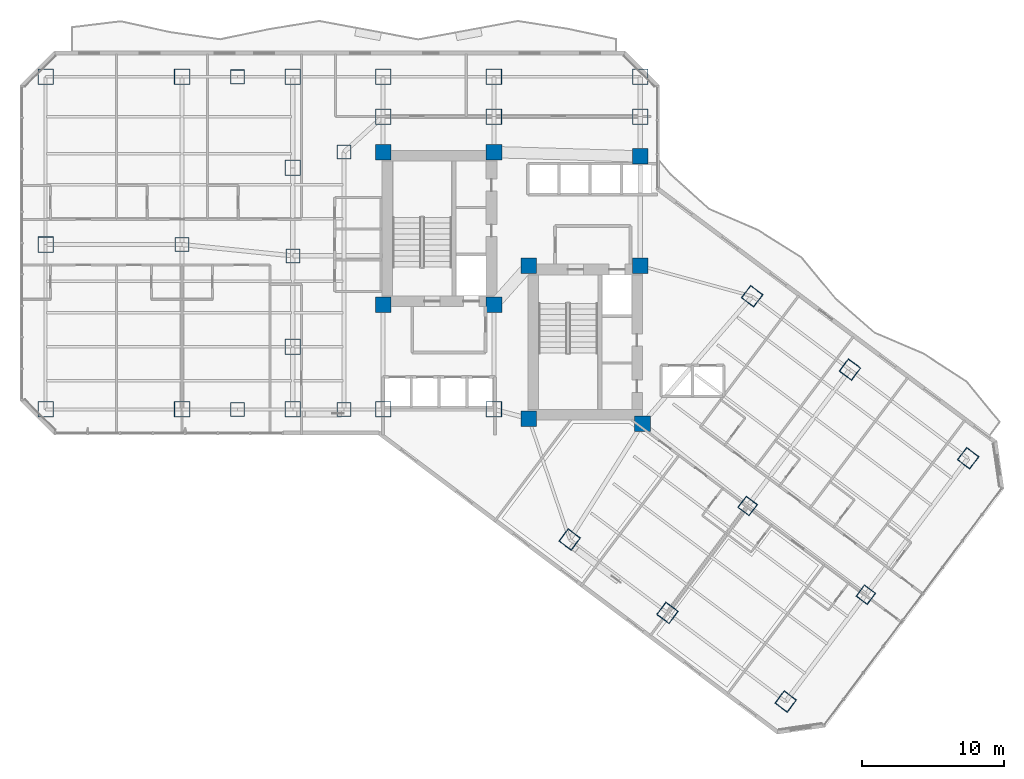
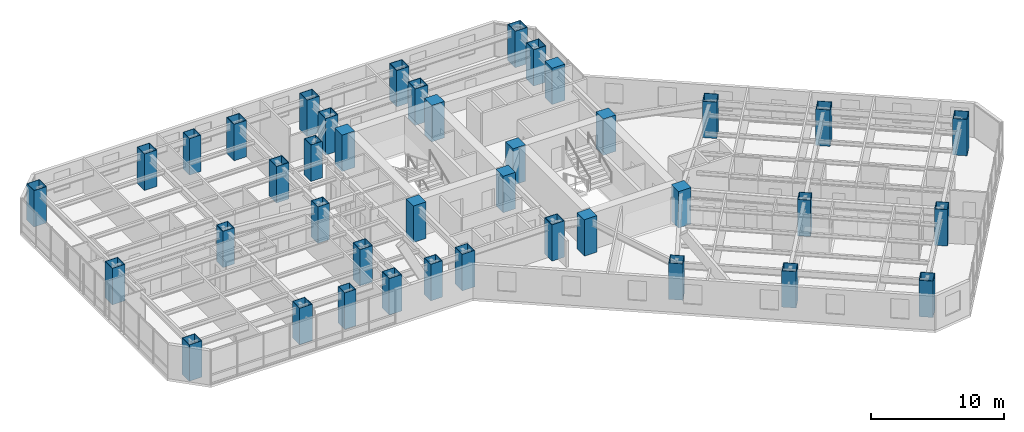
# One storey, part 1 of 32: 40 columns.
"""IFC4 building model written with IfcOpenShell, lengths in metres."""

from ifc_helpers import new_model, si_unit, direction, frame, origin, origin_2d, place, context, subcontext, project, spatial, rectangle, hollow_rectangle, extrude, material, material_profile, profile_set, type_object, element, save


model = new_model("IFC4")

# Units and contexts
model_context = context("Model", 3, precision=1e-05, world=origin(), true_north=direction((0.0, 1.0)))
body_context = subcontext(model_context, "Body", "Model", "MODEL_VIEW")
ifc_project = project(units=[si_unit("LENGTHUNIT", "METRE"), si_unit("AREAUNIT", "SQUARE_METRE"), si_unit("VOLUMEUNIT", "CUBIC_METRE"), si_unit("PLANEANGLEUNIT", "RADIAN"), si_unit("MASSUNIT", "GRAM", prefix="KILO")], contexts=[model_context])

# Site, building, storey
site_placement = place(None, origin())
site = spatial("IfcSite", under=ifc_project, at=site_placement, CompositionType="ELEMENT")
building_placement = place(site_placement, origin())
building = spatial("IfcBuilding", under=site, at=building_placement, Name="Hatsunagi Terrace Concourse", CompositionType="ELEMENT")
storey_placement = place(building_placement, frame((0.0, 0.0, 36.60009765625)))
storey = spatial("IfcBuildingStorey", under=building, at=storey_placement, Name="L08", CompositionType="ELEMENT", Elevation=36.60009765625)

# Columns
ifc_material_1 = material(Name="Concrete Fc60", Category="concrete")
ifc_material_profile_1 = material_profile(ifc_material_1, rectangle(XDim=1.10009765625, YDim=1.10009765625, at=origin_2d()), Name="RC-1100x1100")
ifc_profile_set_1 = profile_set([ifc_material_profile_1], Name="Concrete Fc60")
column_type_1 = type_object("IfcColumnType", Name="CoreColumn_RC_1100x1100", PredefinedType="COLUMN", material=ifc_profile_set_1)
for number, where, z_axis, x_axis, name in (
    (1, (25.550048828125, 32.550048828125, 0.0), (0.0, 0.0, 1.0), (1.0, 0.0, 0.0), "Column C-01 L08-CASW"),
    (2, (33.35009765625, 32.550048828125, 0.0), (0.0, 0.0, 1.0), (1.0, 0.0, 0.0), "Column C-01 L08-CASE"),
    (3, (25.550048828125, 43.300048828125, 0.0), (0.0, 0.0, 1.0), (1.0, 0.0, 0.0), "Column C-01 L08-CANW"),
    (4, (33.35009765625, 43.300048828125, 0.0), (0.0, 0.0, 1.0), (1.0, 0.0, 0.0), "Column C-01 L08-CANE"),
    (5, (35.800048828125, 24.550048828125, 0.0), (0.0, 0.0, 1.0), (1.0, 0.0, 0.0), "Column C-01 L08-CBSW"),
    (6, (43.800048828125, 24.199951171875, 0.0), (0.0, 0.0, 1.0), (1.0, 0.0, 0.0), "Column C-01 L08-CBSE"),
    (7, (35.800048828125, 35.300048828125, 0.0), (0.0, 0.0, 1.0), (1.0, 0.0, 0.0), "Column C-01 L08-CBNW"),
    (8, (43.64990234375, 35.300048828125, 0.0), (0.0, 0.0, 1.0), (1.0, 0.0, 0.0), "Column C-01 L08-CBNE"),
    (9, (43.64990234375, 43.0, 0.0), (0.0, 0.0, 1.0), (1.0, 0.0, 0.0), "Column C-01 L08-K3"),
):
    element("IfcColumn", number, at=place(storey_placement, frame(where, z_axis=z_axis, x_axis=x_axis)), inside=storey, type_object=column_type_1, Name=name, PredefinedType="COLUMN", context=body_context, shape_type="SweptSolid", body=[
        extrude(rectangle(XDim=1.10009765625, YDim=1.10009765625, at=origin_2d()), origin(), (0.0, 0.0, 1.0), 3.349853515625),
    ])
ifc_material_2 = material(Name="Steel BCP325T", Category="steel")
ifc_material_profile_2 = material_profile(ifc_material_2, hollow_rectangle(XDim=1.10009765625, YDim=1.10009765625, WallThickness=0.0400390625, at=origin_2d()), Name="BCP-1100x1100x40")
ifc_profile_set_2 = profile_set([ifc_material_profile_2], Name="Steel BCP325T")
column_type_2 = type_object("IfcColumnType", Name="MegaColumn_BCP_1100x1100x40", PredefinedType="COLUMN", material=ifc_profile_set_2)
for number, where, z_axis, x_axis, name in (
    (10, (25.550048828125, 25.199951171875, 0.0), (0.0, 0.0, 1.0), (1.0, 0.0, 0.0), "Mega column MC-02 L08-K1"),
    (11, (33.35009765625, 25.199951171875, 0.0), (0.0, 0.0, 1.0), (1.0, 0.0, 0.0), "Mega column MC-02 L08-K2"),
    (12, (25.550048828125, 45.800048828125, 0.0), (0.0, 0.0, 1.0), (1.0, 0.0, 0.0), "Mega column MC-02 L08-CN1"),
    (13, (33.35009765625, 45.800048828125, 0.0), (0.0, 0.0, 1.0), (1.0, 0.0, 0.0), "Mega column MC-02 L08-CN2"),
    (14, (43.64990234375, 45.800048828125, 0.0), (0.0, 0.0, 1.0), (1.0, 0.0, 0.0), "Mega column MC-02 L08-CN3"),
    (15, (1.800048828125, 25.199951171875, 0.0), (0.0, 0.0, 1.0), (1.0, 0.0, 0.0), "Mega column MC-02 L08-WS1"),
    (16, (1.800048828125, 48.60009765625, 0.0), (0.0, 0.0, 1.0), (1.0, 0.0, 0.0), "Mega column MC-02 L08-WN1"),
    (17, (1.800048828125, 36.800048828125, 0.0), (0.0, 0.0, 1.0), (1.0, 0.0, 0.0), "Mega column MC-02 L08-WM0"),
    (18, (11.39990234375, 25.199951171875, 0.0), (0.0, 0.0, 1.0), (1.0, 0.0, 0.0), "Mega column MC-02 L08-WS2"),
    (19, (11.39990234375, 48.60009765625, 0.0), (0.0, 0.0, 1.0), (1.0, 0.0, 0.0), "Mega column MC-02 L08-WN2"),
    (20, (19.199951171875, 48.60009765625, 0.0), (0.0, 0.0, 1.0), (1.0, 0.0, 0.0), "Mega column MC-02 L08-WN3"),
    (21, (25.550048828125, 48.60009765625, 0.0), (0.0, 0.0, 1.0), (1.0, 0.0, 0.0), "Mega column MC-02 L08-WN4"),
    (22, (33.35009765625, 48.60009765625, 0.0), (0.0, 0.0, 1.0), (1.0, 0.0, 0.0), "Mega column MC-02 L08-WN5"),
    (23, (43.64990234375, 48.60009765625, 0.0), (0.0, 0.0, 1.0), (1.0, 0.0, 0.0), "Mega column MC-02 L08-WN6"),
    (24, (19.199951171875, 25.199951171875, 0.0), (0.0, 0.0, 1.0), (1.0, 0.0, 0.0), "Mega column MC-02 L08-WS3"),
    (25, (19.199951171875, 29.60009765625, 0.0), (0.0, 0.0, 1.0), (1.0, 0.0, 0.0), "Mega column MC-02 L08-WR1"),
    (26, (19.199951171875, 42.199951171875, 0.0), (0.0, 0.0, 1.0), (1.0, 0.0, 0.0), "Mega column MC-02 L08-WR2"),
    (27, (38.679931640625, 16.0400390625, 0.0), (0.0, 0.0, 1.0), (0.799999996291, -0.600000004945, 0.0), "Mega column MC-02 L08-SES1"),
    (28, (51.52001953125, 33.159912109375, 0.0), (0.0, 0.0, 1.0), (0.799999996291, -0.600000004945, 0.0), "Mega column MC-02 L08-SEN1"),
    (29, (45.56005859375, 10.8798828125, 0.0), (0.0, 0.0, 1.0), (0.799999996291, -0.600000004945, 0.0), "Mega column MC-02 L08-SES2"),
    (30, (58.39990234375, 28.0, 0.0), (0.0, 0.0, 1.0), (0.799999996291, -0.600000004945, 0.0), "Mega column MC-02 L08-SEN2"),
    (31, (53.8798828125, 4.639892578125, 0.0), (0.0, 0.0, 1.0), (0.799999996291, -0.600000004945, 0.0), "Mega column MC-02 L08-SES3"),
    (32, (66.719970703125, 21.760009765625, 0.0), (0.0, 0.0, 1.0), (0.799999996291, -0.600000004945, 0.0), "Mega column MC-02 L08-SEN3"),
):
    element("IfcColumn", number, at=place(storey_placement, frame(where, z_axis=z_axis, x_axis=x_axis)), inside=storey, type_object=column_type_2, Name=name, PredefinedType="COLUMN", context=body_context, shape_type="SweptSolid", body=[
        extrude(hollow_rectangle(XDim=1.10009765625, YDim=1.10009765625, WallThickness=0.0400390625, at=origin_2d()), origin(), (0.0, 0.0, 1.0), 3.349853515625),
    ])
ifc_material_3 = material(Name="Steel BCP325T", Category="steel")
ifc_material_profile_3 = material_profile(ifc_material_3, hollow_rectangle(XDim=1.0, YDim=1.0, WallThickness=0.0380859375, at=origin_2d()), Name="BCP-1000x1000x38")
ifc_profile_set_3 = profile_set([ifc_material_profile_3], Name="Steel BCP325T")
column_type_3 = type_object("IfcColumnType", Name="TowerBoxColumn_1000x1000x38", PredefinedType="COLUMN", material=ifc_profile_set_3)
for number, where, z_axis, x_axis, name in (
    (33, (22.800048828125, 25.199951171875, 0.0), (0.0, 0.0, 1.0), (1.0, 0.0, 0.0), "Column C-03 L08-CW1"),
    (34, (22.800048828125, 43.300048828125, 0.0), (0.0, 0.0, 1.0), (1.0, 0.0, 0.0), "Column C-03 L08-CW2"),
    (35, (11.39990234375, 36.800048828125, 0.0), (0.0, 0.0, 1.0), (1.0, 0.0, 0.0), "Column C-03 L08-WT1"),
    (36, (19.199951171875, 36.0, 0.0), (0.0, 0.0, 1.0), (1.0, 0.0, 0.0), "Column C-03 L08-WT2"),
    (37, (15.300048828125, 25.199951171875, 0.0), (0.0, 0.0, 1.0), (1.0, 0.0, 0.0), "Column C-03 L08-WT3"),
    (38, (15.300048828125, 48.60009765625, 0.0), (0.0, 0.0, 1.0), (1.0, 0.0, 0.0), "Column C-03 L08-WT4"),
    (39, (51.199951171875, 18.39990234375, 0.0), (0.0, 0.0, 1.0), (0.799999996291, -0.600000004945, 0.0), "Column C-03 L08-SEM2"),
    (40, (59.52001953125, 12.159912109375, 0.0), (0.0, 0.0, 1.0), (0.799999996291, -0.600000004945, 0.0), "Column C-03 L08-SEM3"),
):
    element("IfcColumn", number, at=place(storey_placement, frame(where, z_axis=z_axis, x_axis=x_axis)), inside=storey, type_object=column_type_3, Name=name, PredefinedType="COLUMN", context=body_context, shape_type="SweptSolid", body=[
        extrude(hollow_rectangle(XDim=1.0, YDim=1.0, WallThickness=0.0380859375, at=origin_2d()), origin(), (0.0, 0.0, 1.0), 3.349853515625),
    ])

save(model, "model.ifc")
